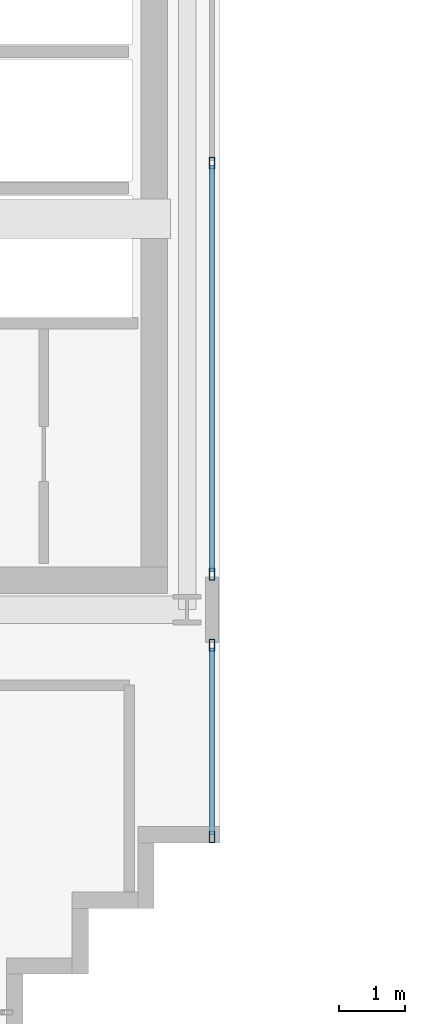
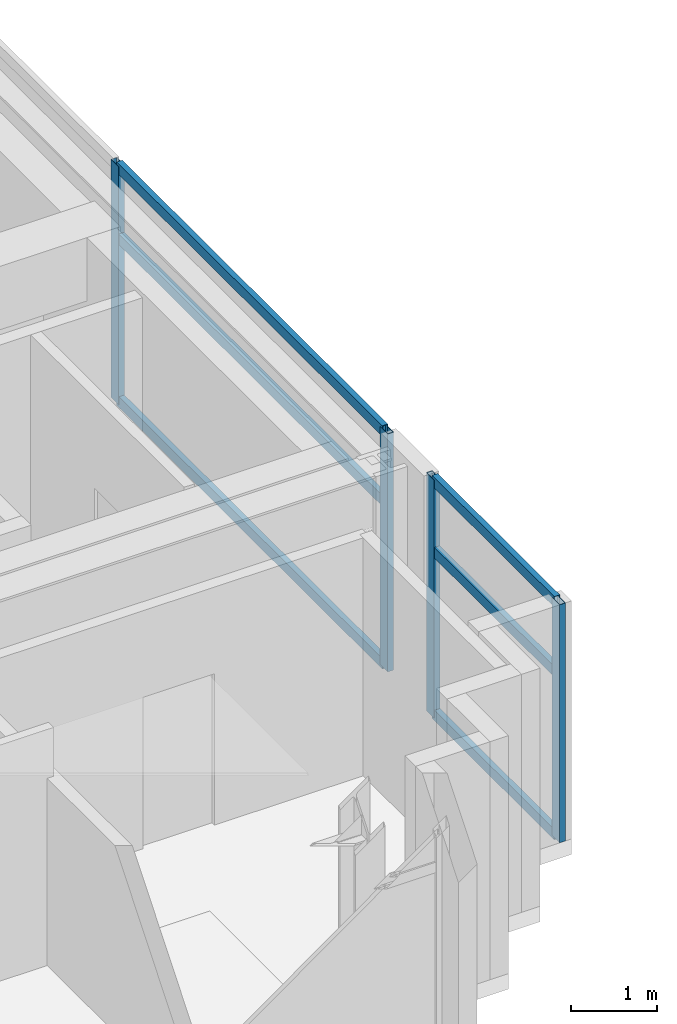
# One storey, part 4 of 25: 10 members, 2 elements without a shape of their own.
"""IFC4 building model written with IfcOpenShell, lengths in metres."""

from ifc_helpers import new_model, si_unit, direction, frame, origin, origin_2d, place, context, subcontext, project, spatial, hollow_rectangle, extrude, source, transform, mapped, material, layer, layer_set, material_profile, profile_set, type_object, element, aggregate, save


model = new_model("IFC4")

# Units and contexts
model_context = context("Model", 3, precision=1e-05, world=origin(), true_north=direction((0.0, 1.0)))
body_context = subcontext(model_context, "Body", "Model", "MODEL_VIEW")
ifc_project = project(units=[si_unit("LENGTHUNIT", "METRE"), si_unit("AREAUNIT", "SQUARE_METRE"), si_unit("VOLUMEUNIT", "CUBIC_METRE"), si_unit("PLANEANGLEUNIT", "RADIAN"), si_unit("MASSUNIT", "GRAM", prefix="KILO")], contexts=[model_context])

# Site, building, storey
site_placement = place(None, origin())
site = spatial("IfcSite", under=ifc_project, at=site_placement, CompositionType="ELEMENT")
building_placement = place(site_placement, origin())
building = spatial("IfcBuilding", under=site, at=building_placement, Name="Ocotamira Hotel", CompositionType="ELEMENT")
storey_placement = place(building_placement, frame((0.0, 0.0, 261.60009765625)))
storey = spatial("IfcBuildingStorey", under=building, at=storey_placement, Name="L66", CompositionType="ELEMENT", Elevation=261.60009765625)

# Curtain wall, members
ifc_material_1 = material(Name="Anodised pale-metal aluminium and solar glass", Category="aluminium")
ifc_layer = layer(ifc_material_1, 0.2099609375)
ifc_layer_set = layer_set([ifc_layer], Name="Anodised pale-metal aluminium and solar glass")
curtain_wall_type = type_object("IfcCurtainWallType", Name="CW-SYS7-PEAK", PredefinedType="NOTDEFINED", material=ifc_layer_set)
curtain_wall_1_placement = place(storey_placement, origin())
curtain_wall_1 = element("IfcCurtainWall", 1, at=curtain_wall_1_placement, inside=storey, type_object=curtain_wall_type, Name="L66 Curtain Wall CW-7 CW-L66-WI1", PredefinedType="NOTDEFINED")
ifc_material_2 = material(Name="Anodised pale-metal aluminium 6063-T6", Category="aluminium")
ifc_material_profile_1 = material_profile(ifc_material_2, hollow_rectangle(XDim=0.080078125, YDim=0.179931640625, WallThickness=0.006103515625, at=origin_2d()), Name="HSS180X80X6")
ifc_profile_set_1 = profile_set([ifc_material_profile_1], Name="Anodised pale-metal aluminium 6063-T6")
member_type_1 = type_object("IfcMemberType", Name="CWM-180X75", PredefinedType="MULLION", material=ifc_profile_set_1)
shared_shape_1 = source(origin(), body_context, "Body", "SweptSolid", [
    extrude(hollow_rectangle(XDim=0.080078125, YDim=0.179931640625, WallThickness=0.006103515625, at=origin_2d()), origin(), (0.0, 0.0, 1.0), 3.3798828125),
])
member_1_placement = place(storey_placement, frame((23.8798828125, 11.090087890625, 0.0), z_axis=(0.0, 0.0, 1.0), x_axis=(-1.0, 0.0, 0.0)))
member_1 = element("IfcMember", 2, at=member_1_placement, type_object=member_type_1, Name="CW-7 mullion 1", PredefinedType="MULLION", context=body_context, shape_type="MappedRepresentation", body=[
    mapped(shared_shape_1, transform((0.0, 0.0, 0.0), scale=1.0)),
])
member_2_placement = place(storey_placement, frame((23.8798828125, 14.010009765625, 0.0), z_axis=(0.0, 0.0, 1.0), x_axis=(-1.0, 0.0, 0.0)))
member_2 = element("IfcMember", 3, at=member_2_placement, type_object=member_type_1, Name="CW-7 mullion 2", PredefinedType="MULLION", context=body_context, shape_type="MappedRepresentation", body=[
    mapped(shared_shape_1, transform((0.0, 0.0, 0.0), scale=1.0)),
])

curtain_wall_2_placement = place(storey_placement, origin())
curtain_wall_2 = element("IfcCurtainWall", 4, at=curtain_wall_2_placement, inside=storey, type_object=curtain_wall_type, Name="L66 Curtain Wall CW-7 CW-L66-WI2", PredefinedType="NOTDEFINED")
member_3_placement = place(storey_placement, frame((23.8798828125, 15.090087890625, 0.0), z_axis=(0.0, 0.0, 1.0), x_axis=(-1.0, 0.0, 0.0)))
member_3 = element("IfcMember", 5, at=member_3_placement, type_object=member_type_1, Name="CW-7 mullion 1", PredefinedType="MULLION", context=body_context, shape_type="MappedRepresentation", body=[
    mapped(shared_shape_1, transform((0.0, 0.0, 0.0), scale=1.0)),
])
member_4_placement = place(storey_placement, frame((23.8798828125, 21.35009765625, 0.0), z_axis=(0.0, 0.0, 1.0), x_axis=(-1.0, 0.0, 0.0)))
member_4 = element("IfcMember", 6, at=member_4_placement, type_object=member_type_1, Name="CW-7 mullion 2", PredefinedType="MULLION", context=body_context, shape_type="MappedRepresentation", body=[
    mapped(shared_shape_1, transform((0.0, 0.0, 0.0), scale=1.0)),
])

# Member
ifc_material_profile_2 = material_profile(ifc_material_2, hollow_rectangle(XDim=0.074951171875, YDim=0.14990234375, WallThickness=0.006103515625, at=origin_2d()), Name="HSS150X75X6")
ifc_profile_set_2 = profile_set([ifc_material_profile_2], Name="Anodised pale-metal aluminium 6063-T6")
member_type_2 = type_object("IfcMemberType", Name="CWT-150X75", PredefinedType="USERDEFINED", material=ifc_profile_set_2)
shared_shape_2 = source(origin(), body_context, "Body", "SweptSolid", [
    extrude(hollow_rectangle(XDim=0.074951171875, YDim=0.14990234375, WallThickness=0.006103515625, at=origin_2d()), origin(), (0.0, 0.0, 1.0), 2.840087890625),
])
member_5_placement = place(storey_placement, frame((23.8798828125, 11.1298828125, 0.037353515625), z_axis=(0.0, 1.0, 0.0), x_axis=(-1.0, 0.0, 0.0)))
member_5 = element("IfcMember", 7, at=member_5_placement, type_object=member_type_2, Name="CW-7 transom 1.1", ObjectType="TRANSOM", PredefinedType="USERDEFINED", context=body_context, shape_type="MappedRepresentation", body=[
    mapped(shared_shape_2, transform((0.0, 0.0, 0.0), scale=1.0)),
])

member_6_placement = place(storey_placement, frame((23.8798828125, 11.1298828125, 2.349853515625), z_axis=(0.0, 1.0, 0.0), x_axis=(-1.0, 0.0, 0.0)))
member_6 = element("IfcMember", 8, at=member_6_placement, type_object=member_type_2, Name="CW-7 transom 1.2", ObjectType="TRANSOM", PredefinedType="USERDEFINED", context=body_context, shape_type="MappedRepresentation", body=[
    mapped(shared_shape_2, transform((0.0, 0.0, 0.0), scale=1.0)),
])

member_7_placement = place(storey_placement, frame((23.8798828125, 11.1298828125, 3.34228515625), z_axis=(0.0, 1.0, 0.0), x_axis=(-1.0, 0.0, 0.0)))
member_7 = element("IfcMember", 9, at=member_7_placement, type_object=member_type_2, Name="CW-7 transom 1.3", ObjectType="TRANSOM", PredefinedType="USERDEFINED", context=body_context, shape_type="MappedRepresentation", body=[
    mapped(shared_shape_2, transform((0.0, 0.0, 0.0), scale=1.0)),
])

aggregate(curtain_wall_1, [member_1, member_2, member_5, member_6, member_7])

shared_shape_3 = source(origin(), body_context, "Body", "SweptSolid", [
    extrude(hollow_rectangle(XDim=0.074951171875, YDim=0.14990234375, WallThickness=0.006103515625, at=origin_2d()), origin(), (0.0, 0.0, 1.0), 6.18017578125),
])
member_8_placement = place(storey_placement, frame((23.8798828125, 15.1298828125, 0.037353515625), z_axis=(0.0, 1.0, 0.0), x_axis=(-1.0, 0.0, 0.0)))
member_8 = element("IfcMember", 10, at=member_8_placement, type_object=member_type_2, Name="CW-7 transom 1.1", ObjectType="TRANSOM", PredefinedType="USERDEFINED", context=body_context, shape_type="MappedRepresentation", body=[
    mapped(shared_shape_3, transform((0.0, 0.0, 0.0), scale=1.0)),
])

member_9_placement = place(storey_placement, frame((23.8798828125, 15.1298828125, 2.349853515625), z_axis=(0.0, 1.0, 0.0), x_axis=(-1.0, 0.0, 0.0)))
member_9 = element("IfcMember", 11, at=member_9_placement, type_object=member_type_2, Name="CW-7 transom 1.2", ObjectType="TRANSOM", PredefinedType="USERDEFINED", context=body_context, shape_type="MappedRepresentation", body=[
    mapped(shared_shape_3, transform((0.0, 0.0, 0.0), scale=1.0)),
])

member_10_placement = place(storey_placement, frame((23.8798828125, 15.1298828125, 3.34228515625), z_axis=(0.0, 1.0, 0.0), x_axis=(-1.0, 0.0, 0.0)))
member_10 = element("IfcMember", 12, at=member_10_placement, type_object=member_type_2, Name="CW-7 transom 1.3", ObjectType="TRANSOM", PredefinedType="USERDEFINED", context=body_context, shape_type="MappedRepresentation", body=[
    mapped(shared_shape_3, transform((0.0, 0.0, 0.0), scale=1.0)),
])

aggregate(curtain_wall_2, [member_3, member_4, member_8, member_9, member_10])

save(model, "model.ifc")
